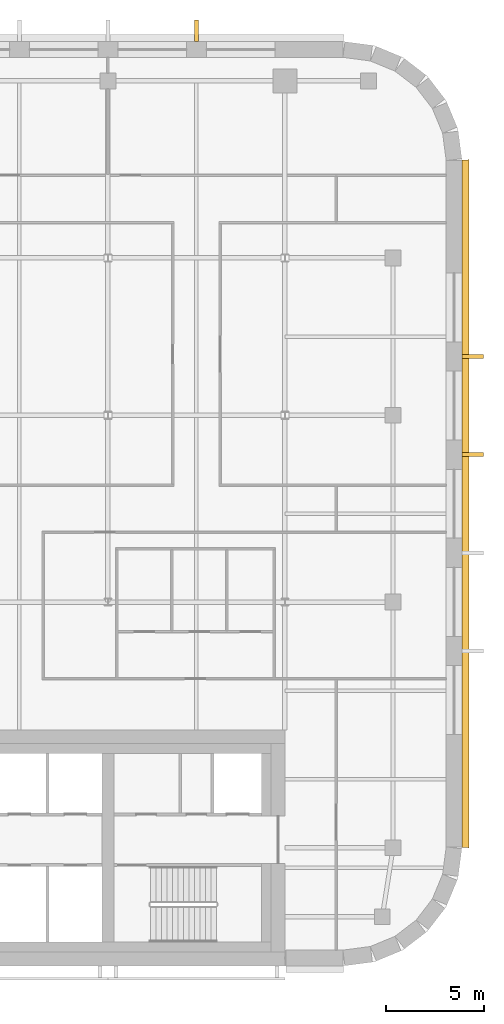
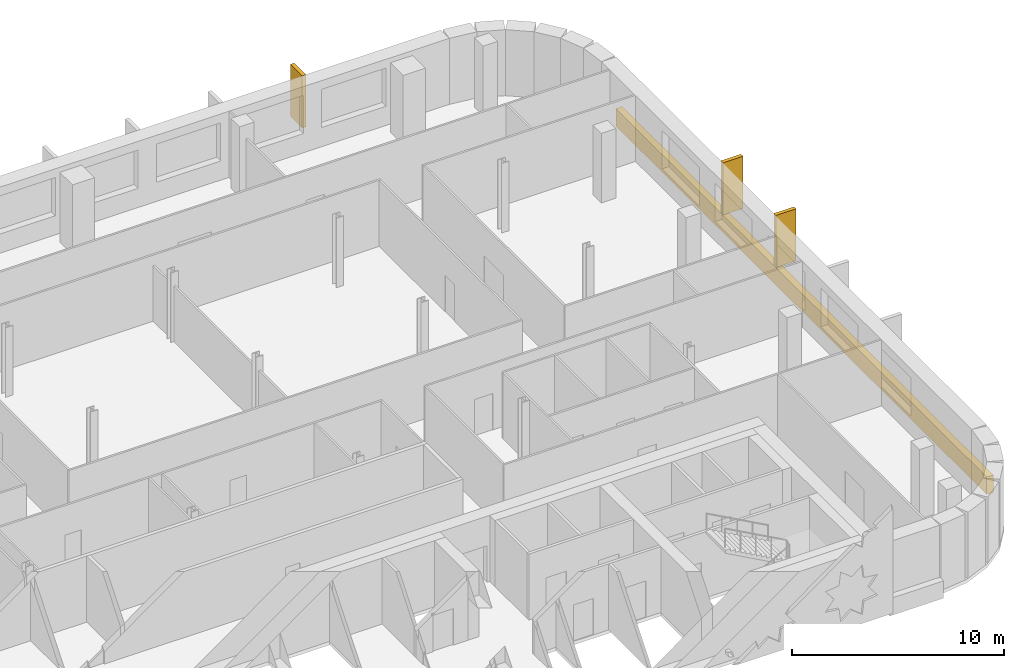
# One storey, part 18 of 18: 4 coverings.
"""IFC4 building model written with IfcOpenShell, lengths in metres."""

from ifc_helpers import new_model, si_unit, direction, frame, origin, place, context, subcontext, project, spatial, polyline, outline, extrude, material, layer, layer_set, type_object, element, save


model = new_model("IFC4")

# Units and contexts
model_context = context("Model", 3, precision=1e-05, world=origin(), true_north=direction((0.0, 1.0)))
body_context = subcontext(model_context, "Body", "Model", "MODEL_VIEW")
ifc_project = project(units=[si_unit("LENGTHUNIT", "METRE"), si_unit("AREAUNIT", "SQUARE_METRE"), si_unit("VOLUMEUNIT", "CUBIC_METRE"), si_unit("PLANEANGLEUNIT", "RADIAN"), si_unit("MASSUNIT", "GRAM", prefix="KILO")], contexts=[model_context])

# Site, building, storey
site_placement = place(None, origin())
site = spatial("IfcSite", under=ifc_project, at=site_placement, CompositionType="ELEMENT")
building_placement = place(site_placement, origin())
building = spatial("IfcBuilding", under=site, at=building_placement, Name="Zellij Exchange Tower", CompositionType="ELEMENT")
storey_placement = place(building_placement, frame((0.0, 0.0, 228.5)))
storey = spatial("IfcBuildingStorey", under=building, at=storey_placement, Name="L53", CompositionType="ELEMENT", Elevation=228.5)

# Coverings
ifc_material = material(Name="Limestone cladding", Category="masonry")
ifc_layer = layer(ifc_material, 0.35009765625)
ifc_layer_set = layer_set([ifc_layer], Name="Limestone cladding")
covering_type_1 = type_object("IfcCoveringType", Name="ENV-CV10 Stone spandrel band 350", PredefinedType="CLADDING", material=ifc_layer_set)
covering_1_placement = place(storey_placement, frame((0.0, 0.0, -0.199951171875)))
element("IfcCovering", 1, at=covering_1_placement, inside=storey, type_object=covering_type_1, Name="Stone spandrel band", PredefinedType="CLADDING", context=body_context, shape_type="SweptSolid", body=[
    extrude(outline(polyline([(36.0, -7.973876953125), (36.0, 26.973876953125), (36.35009765625, 26.99658203125), (36.35009765625, -7.99658203125), (36.0, -7.973876953125)])), origin(), (0.0, 0.0, 1.0), 1.0),
])
covering_type_2 = type_object("IfcCoveringType", Name="ENV-CV6 Stone pier 200x1100", PredefinedType="CLADDING", material=ifc_material)
covering_2_placement = place(storey_placement, frame((0.0, 0.0, 0.800048828125)))
element("IfcCovering", 2, at=covering_2_placement, inside=storey, type_object=covering_type_2, Name="Stone pier", PredefinedType="CLADDING", context=body_context, shape_type="SweptSolid", body=[
    extrude(outline(polyline([(36.0, 11.896240234375), (36.0, 12.09619140625), (37.10009765625, 12.09619140625), (37.10009765625, 11.896240234375), (36.0, 11.896240234375)])), origin(), (0.0, 0.0, 1.0), 3.0),
])
covering_3_placement = place(storey_placement, frame((0.0, 0.0, 0.800048828125)))
element("IfcCovering", 3, at=covering_3_placement, inside=storey, type_object=covering_type_2, Name="Stone pier", PredefinedType="CLADDING", context=body_context, shape_type="SweptSolid", body=[
    extrude(outline(polyline([(36.0, 16.888916015625), (36.0, 17.0888671875), (37.10009765625, 17.0888671875), (37.10009765625, 16.888916015625), (36.0, 16.888916015625)])), origin(), (0.0, 0.0, 1.0), 3.0),
])
covering_4_placement = place(storey_placement, frame((0.0, 0.0, 0.800048828125)))
element("IfcCovering", 4, at=covering_4_placement, inside=storey, type_object=covering_type_2, Name="Stone pier", PredefinedType="CLADDING", context=body_context, shape_type="SweptSolid", body=[
    extrude(outline(polyline([(22.60009765625, 33.0), (22.39990234375, 33.0), (22.39990234375, 34.10009765625), (22.60009765625, 34.10009765625), (22.60009765625, 33.0)])), origin(), (0.0, 0.0, 1.0), 3.0),
])

save(model, "model.ifc")
